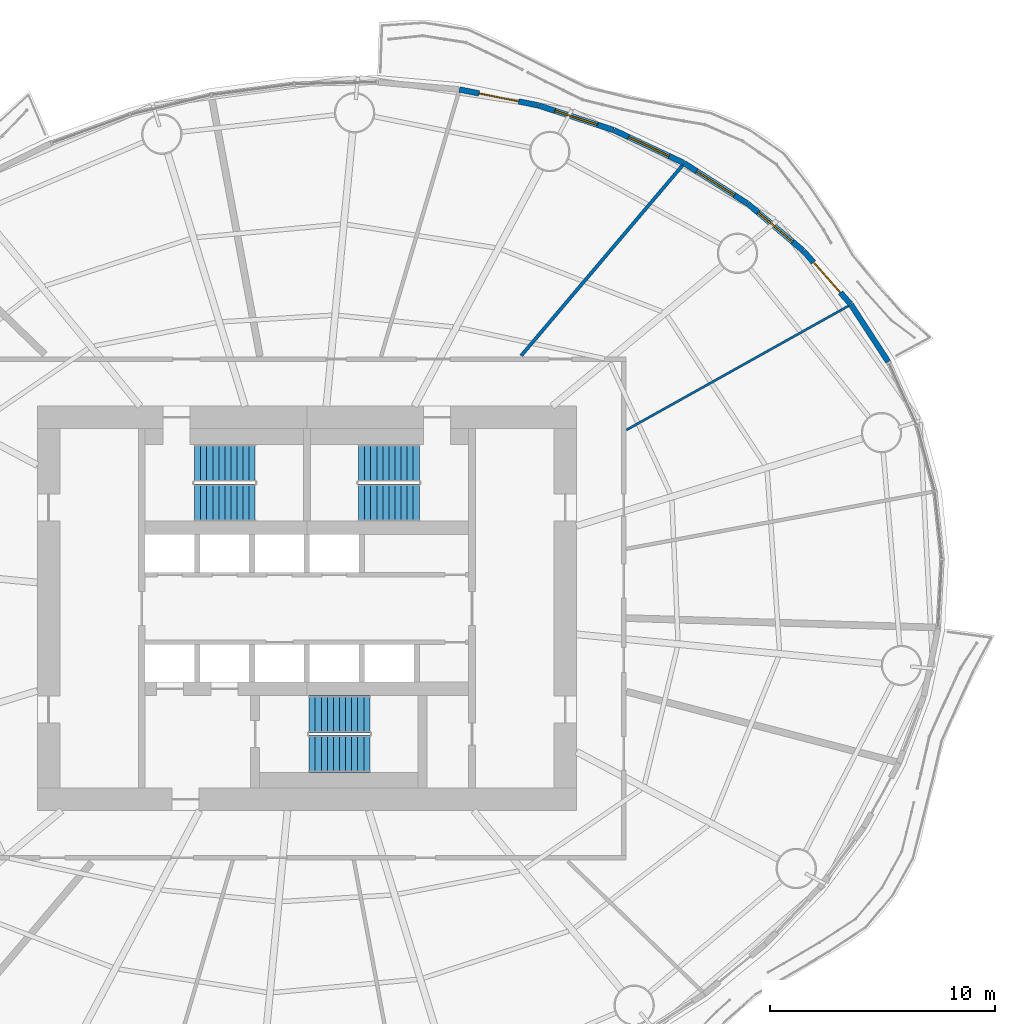
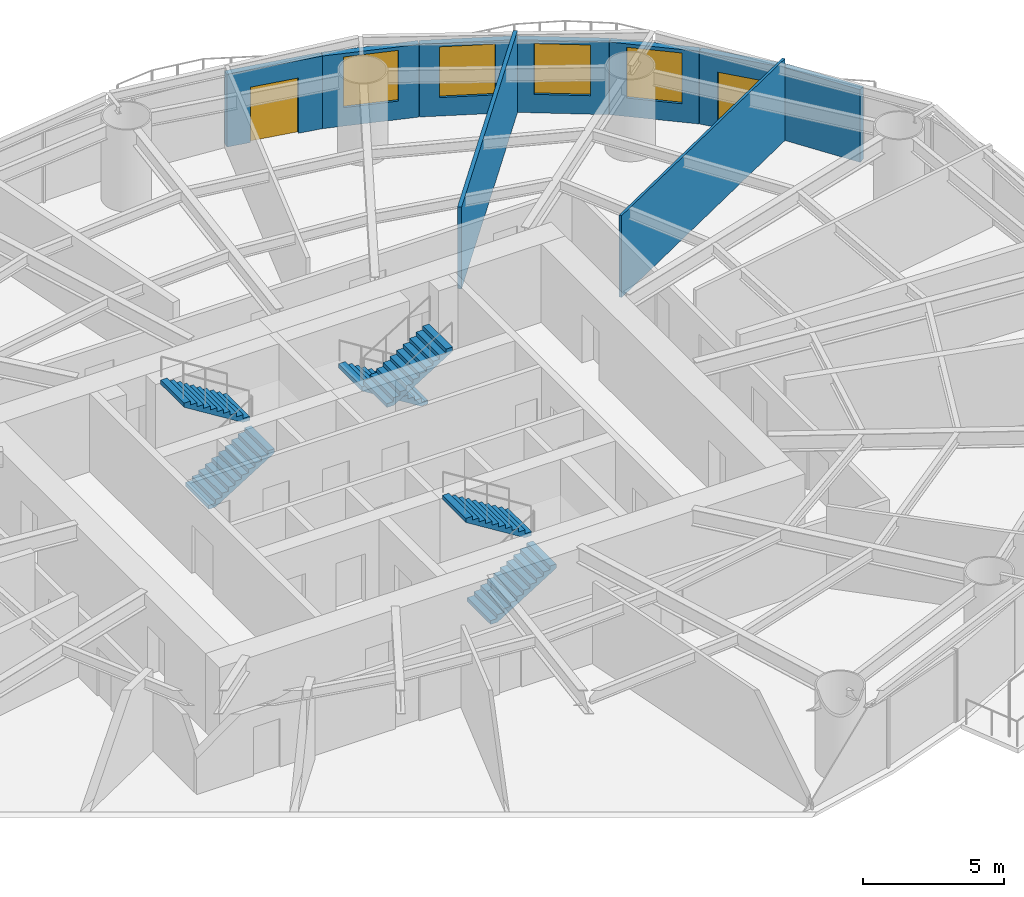
# One storey, part 11 of 17: 9 walls, 6 stair flights, 4 windows, 2 doors, 6 openings, 3 elements without a shape of their own.
"""IFC4 building model written with IfcOpenShell, lengths in metres."""

from ifc_helpers import new_model, si_unit, direction, frame, frame_2d, origin, place, context, subcontext, project, spatial, polyline, rectangle, outline, extrude, material, layer, layer_set, type_object, element, fill, aggregate, save


model = new_model("IFC4")

# Units and contexts
model_context = context("Model", 3, precision=1e-05, world=origin(), true_north=direction((0.0, 1.0)))
body_context = subcontext(model_context, "Body", "Model", "MODEL_VIEW")
ifc_project = project(units=[si_unit("LENGTHUNIT", "METRE"), si_unit("AREAUNIT", "SQUARE_METRE"), si_unit("VOLUMEUNIT", "CUBIC_METRE"), si_unit("PLANEANGLEUNIT", "RADIAN"), si_unit("MASSUNIT", "GRAM", prefix="KILO")], contexts=[model_context])

# Site, building, storey
site_placement = place(None, origin())
site = spatial("IfcSite", under=ifc_project, at=site_placement, CompositionType="ELEMENT")
building_placement = place(site_placement, origin())
building = spatial("IfcBuilding", under=site, at=building_placement, Name="Vermilion Reach Broadcast Tower", CompositionType="ELEMENT")
storey_placement = place(building_placement, frame((0.0, 0.0, 76.699951171875)))
storey = spatial("IfcBuildingStorey", under=building, at=storey_placement, Name="L16", CompositionType="ELEMENT", Elevation=76.699951171875)

# Walls
ifc_material_1 = material(Name="Plasterboard on steel stud", Category="steel")
ifc_layer_1 = layer(ifc_material_1, 0.10009765625)
ifc_layer_set_1 = layer_set([ifc_layer_1], Name="Partition 100 steel stud")
wall_type_1 = type_object("IfcWallType", Name="Partition 100 steel stud", PredefinedType="PARTITIONING", material=ifc_layer_set_1)
wall_1_placement = place(storey_placement, frame((18.1044921875, 13.463134765625, 0.0), z_axis=(0.0, 0.0, 1.0), x_axis=(-0.873053971866, -0.4876235866, 0.0)))
element("IfcWall", 1, at=wall_1_placement, inside=storey, type_object=wall_type_1, Name="Partition 16.02", PredefinedType="PARTITIONING", context=body_context, shape_type="SweptSolid", body=[
    extrude(rectangle(XDim=11.316650390625, YDim=0.10009765625, at=frame_2d((5.658203125, 0.0))), origin(), (0.0, 0.0, 1.0), 3.550048828125),
])
ifc_material_2 = material(Name="Lightweight concrete block, plastered", Category="concrete")
ifc_layer_2 = layer(ifc_material_2, 0.14990234375)
ifc_layer_set_2 = layer_set([ifc_layer_2], Name="Partition 150 lightweight block")
wall_type_2 = type_object("IfcWallType", Name="Partition 150 lightweight block", PredefinedType="PARTITIONING", material=ifc_layer_set_2)
wall_2_placement = place(storey_placement, frame((10.715576171875, 19.715576171875, 0.0), z_axis=(0.0, 0.0, 1.0), x_axis=(-0.646692205785, -0.762751067503, 0.0)))
element("IfcWall", 2, at=wall_2_placement, inside=storey, type_object=wall_type_2, Name="Partition 16.03", PredefinedType="PARTITIONING", context=body_context, shape_type="SweptSolid", body=[
    extrude(rectangle(XDim=11.1005859375, YDim=0.14990234375, at=frame_2d((5.55029296875, 0.0))), origin(), (0.0, 0.0, 1.0), 3.550048828125),
])
ifc_material_3 = material(Name="Terracotta rainscreen cladding", Category="masonry")
ifc_layer_3 = layer(ifc_material_3, 0.25)
ifc_layer_set_3 = layer_set([ifc_layer_3], Name="Terracotta rainscreen wall 250")
wall_type_3 = type_object("IfcWallType", Name="Terracotta rainscreen wall 250", PredefinedType="SOLIDWALL", material=ifc_layer_set_3)
wall_3_placement = place(storey_placement, frame((19.87109375, 10.97802734375, 0.0), z_axis=(0.0, 0.0, 1.0), x_axis=(-0.545574882471, 0.838062078618, 0.0)))
element("IfcWall", 3, at=wall_3_placement, inside=storey, type_object=wall_type_3, Name="External wall L16 02", PredefinedType="SOLIDWALL", context=body_context, shape_type="SweptSolid", body=[
    extrude(rectangle(XDim=3.04248046875, YDim=0.25, at=frame_2d((1.521240234375, 0.0))), origin(), (0.0, 0.0, 1.0), 3.150146484375),
])

# Wall, opening, door
wall_4_placement = place(storey_placement, frame((18.195068359375, 13.549072265625, 0.0), z_axis=(0.0, 0.0, 1.0), x_axis=(-0.663940867432, 0.747785079119, 0.0)))
wall_4 = element("IfcWall", 4, at=wall_4_placement, inside=storey, type_object=wall_type_3, Name="External wall L16 03", PredefinedType="SOLIDWALL", context=body_context, shape_type="SweptSolid", body=[
    extrude(rectangle(XDim=3.153564453125, YDim=0.25, at=frame_2d((1.57666015625, 0.0))), origin(), (0.0, 0.0, 1.0), 3.150146484375),
])
opening_1_placement = place(wall_4_placement, frame((0.677001953125, 0.0, 0.0)))
opening_1 = element("IfcOpeningElement", 5, at=opening_1_placement, cuts=wall_4, Name="Opening D70", PredefinedType="OPENING", context=body_context, shape_type="SweptSolid", body=[
    extrude(rectangle(XDim=1.800048828125, YDim=2.39990234375, at=frame_2d((0.89990234375, 1.199951171875))), frame((0.0, 0.135009765625, 0.0), z_axis=(0.0, -1.0, 0.0), x_axis=(1.0, 0.0, 0.0)), (0.0, 0.0, 1.0), 0.27001953125),
])
ifc_material_4 = material(Name="Low-e laminated clear glass in aluminium frame", Category="aluminium")
door_type = type_object("IfcDoorType", Name="Balcony sliding door 1800 x 2400", OperationType="DOUBLE_DOOR_SLIDING", PredefinedType="DOOR", material=ifc_material_4)
door_1_placement = place(opening_1_placement, origin())
door_1 = element("IfcDoor", 6, at=door_1_placement, inside=storey, type_object=door_type, Name="Balcony door L16 run 01", OperationType="DOUBLE_DOOR_SLIDING", OverallHeight=2.39990234375, OverallWidth=1.800048828125, PredefinedType="DOOR", context=body_context, shape_type="SweptSolid", body=[
    extrude(rectangle(XDim=1.800048828125, YDim=2.39990234375, at=frame_2d((0.89990234375, 1.199951171875))), frame((0.0, 0.02490234375, 0.0), z_axis=(0.0, -1.0, 0.0), x_axis=(1.0, 0.0, 0.0)), (0.0, 0.0, 1.0), 0.050048828125),
])
fill(opening_1, door_1)

# Wall, opening, window
wall_5_placement = place(storey_placement, frame((16.0830078125, 15.92529296875, 0.0), z_axis=(0.0, 0.0, 1.0), x_axis=(-0.763314755693, 0.646026767047, 0.0)))
wall_5 = element("IfcWall", 7, at=wall_5_placement, inside=storey, type_object=wall_type_3, Name="External wall L16 04", PredefinedType="SOLIDWALL", context=body_context, shape_type="SweptSolid", body=[
    extrude(rectangle(XDim=3.23681640625, YDim=0.25, at=frame_2d((1.618408203125, 0.0))), origin(), (0.0, 0.0, 1.0), 3.150146484375),
])
opening_2_placement = place(wall_5_placement, frame((0.618408203125, 0.0, 0.800048828125)))
opening_2 = element("IfcOpeningElement", 8, at=opening_2_placement, cuts=wall_5, Name="Opening W01", PredefinedType="OPENING", context=body_context, shape_type="SweptSolid", body=[
    extrude(rectangle(XDim=2.0, YDim=2.199951171875, at=frame_2d((1.0, 1.10009765625))), frame((0.0, 0.135009765625, 0.0), z_axis=(0.0, -1.0, 0.0), x_axis=(1.0, 0.0, 0.0)), (0.0, 0.0, 1.0), 0.27001953125),
])
ifc_material_5 = material(Name="Low-e laminated clear glass in aluminium frame", Category="aluminium")
window_type = type_object("IfcWindowType", Name="Punched window 2000 x 2200 sill 800", PartitioningType="SINGLE_PANEL", PredefinedType="WINDOW", material=ifc_material_5)
window_1_placement = place(opening_2_placement, origin())
window_1 = element("IfcWindow", 9, at=window_1_placement, inside=storey, type_object=window_type, Name="Window L16 04", OverallHeight=2.199951171875, OverallWidth=2.0, PartitioningType="SINGLE_PANEL", PredefinedType="WINDOW", context=body_context, shape_type="SweptSolid", body=[
    extrude(rectangle(XDim=2.0, YDim=2.199951171875, at=frame_2d((1.0, 1.10009765625))), frame((0.0, 0.030029296875, 0.0), z_axis=(0.0, -1.0, 0.0), x_axis=(1.0, 0.0, 0.0)), (0.0, 0.0, 1.0), 0.06005859375),
])
fill(opening_2, window_1)

wall_6_placement = place(storey_placement, frame((13.59228515625, 18.03125, 0.0), z_axis=(0.0, 0.0, 1.0), x_axis=(-0.843428771265, 0.537241014632, 0.0)))
wall_6 = element("IfcWall", 10, at=wall_6_placement, inside=storey, type_object=wall_type_3, Name="External wall L16 05", PredefinedType="SOLIDWALL", context=body_context, shape_type="SweptSolid", body=[
    extrude(rectangle(XDim=3.327392578125, YDim=0.25, at=frame_2d((1.66357421875, 0.0))), origin(), (0.0, 0.0, 1.0), 3.150146484375),
])
opening_3_placement = place(wall_6_placement, frame((0.66357421875, 0.0, 0.800048828125)))
opening_3 = element("IfcOpeningElement", 11, at=opening_3_placement, cuts=wall_6, Name="Opening W01", PredefinedType="OPENING", context=body_context, shape_type="SweptSolid", body=[
    extrude(rectangle(XDim=2.0, YDim=2.199951171875, at=frame_2d((1.0, 1.10009765625))), frame((0.0, 0.135009765625, 0.0), z_axis=(0.0, -1.0, 0.0), x_axis=(1.0, 0.0, 0.0)), (0.0, 0.0, 1.0), 0.27001953125),
])
window_2_placement = place(opening_3_placement, origin())
window_2 = element("IfcWindow", 12, at=window_2_placement, inside=storey, type_object=window_type, Name="Window L16 05", OverallHeight=2.199951171875, OverallWidth=2.0, PartitioningType="SINGLE_PANEL", PredefinedType="WINDOW", context=body_context, shape_type="SweptSolid", body=[
    extrude(rectangle(XDim=2.0, YDim=2.199951171875, at=frame_2d((1.0, 1.10009765625))), frame((0.0, 0.030029296875, 0.0), z_axis=(0.0, -1.0, 0.0), x_axis=(1.0, 0.0, 0.0)), (0.0, 0.0, 1.0), 0.06005859375),
])
fill(opening_3, window_2)

wall_7_placement = place(storey_placement, frame((10.764892578125, 19.830322265625, 0.0), z_axis=(0.0, 0.0, 1.0), x_axis=(-0.905237504744, 0.424905942538, 0.0)))
wall_7 = element("IfcWall", 13, at=wall_7_placement, inside=storey, type_object=wall_type_3, Name="External wall L16 06", PredefinedType="SOLIDWALL", context=body_context, shape_type="SweptSolid", body=[
    extrude(rectangle(XDim=3.418212890625, YDim=0.25, at=frame_2d((1.708984375, 0.0))), origin(), (0.0, 0.0, 1.0), 3.150146484375),
])
opening_4_placement = place(wall_7_placement, frame((0.708984375, 0.0, 0.800048828125)))
opening_4 = element("IfcOpeningElement", 14, at=opening_4_placement, cuts=wall_7, Name="Opening W01", PredefinedType="OPENING", context=body_context, shape_type="SweptSolid", body=[
    extrude(rectangle(XDim=2.0, YDim=2.199951171875, at=frame_2d((1.0, 1.10009765625))), frame((0.0, 0.135009765625, 0.0), z_axis=(0.0, -1.0, 0.0), x_axis=(1.0, 0.0, 0.0)), (0.0, 0.0, 1.0), 0.27001953125),
])
window_3_placement = place(opening_4_placement, origin())
window_3 = element("IfcWindow", 15, at=window_3_placement, inside=storey, type_object=window_type, Name="Window L16 06", OverallHeight=2.199951171875, OverallWidth=2.0, PartitioningType="SINGLE_PANEL", PredefinedType="WINDOW", context=body_context, shape_type="SweptSolid", body=[
    extrude(rectangle(XDim=2.0, YDim=2.199951171875, at=frame_2d((1.0, 1.10009765625))), frame((0.0, 0.030029296875, 0.0), z_axis=(0.0, -1.0, 0.0), x_axis=(1.0, 0.0, 0.0)), (0.0, 0.0, 1.0), 0.06005859375),
])
fill(opening_4, window_3)

wall_8_placement = place(storey_placement, frame((7.64892578125, 21.291259765625, 0.0), z_axis=(0.0, 0.0, 1.0), x_axis=(-0.950294453708, 0.311352615617, 0.0)))
wall_8 = element("IfcWall", 16, at=wall_8_placement, inside=storey, type_object=wall_type_3, Name="External wall L16 07", PredefinedType="SOLIDWALL", context=body_context, shape_type="SweptSolid", body=[
    extrude(rectangle(XDim=3.50341796875, YDim=0.25, at=frame_2d((1.751708984375, 0.0))), origin(), (0.0, 0.0, 1.0), 3.150146484375),
])
opening_5_placement = place(wall_8_placement, frame((0.751953125, 0.0, 0.800048828125)))
opening_5 = element("IfcOpeningElement", 17, at=opening_5_placement, cuts=wall_8, Name="Opening W01", PredefinedType="OPENING", context=body_context, shape_type="SweptSolid", body=[
    extrude(rectangle(XDim=2.0, YDim=2.199951171875, at=frame_2d((1.0, 1.10009765625))), frame((0.0, 0.135009765625, 0.0), z_axis=(0.0, -1.0, 0.0), x_axis=(1.0, 0.0, 0.0)), (0.0, 0.0, 1.0), 0.27001953125),
])
window_4_placement = place(opening_5_placement, origin())
window_4 = element("IfcWindow", 18, at=window_4_placement, inside=storey, type_object=window_type, Name="Window L16 07", OverallHeight=2.199951171875, OverallWidth=2.0, PartitioningType="SINGLE_PANEL", PredefinedType="WINDOW", context=body_context, shape_type="SweptSolid", body=[
    extrude(rectangle(XDim=2.0, YDim=2.199951171875, at=frame_2d((1.0, 1.10009765625))), frame((0.0, 0.030029296875, 0.0), z_axis=(0.0, -1.0, 0.0), x_axis=(1.0, 0.0, 0.0)), (0.0, 0.0, 1.0), 0.06005859375),
])
fill(opening_5, window_4)

# Wall, opening, door
wall_9_placement = place(storey_placement, frame((4.297607421875, 22.387939453125, 0.0), z_axis=(0.0, 0.0, 1.0), x_axis=(-0.980121435031, 0.198398519635, 0.0)))
wall_9 = element("IfcWall", 19, at=wall_9_placement, inside=storey, type_object=wall_type_3, Name="External wall L16 08", PredefinedType="SOLIDWALL", context=body_context, shape_type="SweptSolid", body=[
    extrude(rectangle(XDim=3.578369140625, YDim=0.25, at=frame_2d((1.7890625, 0.0))), origin(), (0.0, 0.0, 1.0), 3.150146484375),
])
opening_6_placement = place(wall_9_placement, frame((0.888916015625, 0.0, 0.0)))
opening_6 = element("IfcOpeningElement", 20, at=opening_6_placement, cuts=wall_9, Name="Opening D70", PredefinedType="OPENING", context=body_context, shape_type="SweptSolid", body=[
    extrude(rectangle(XDim=1.800048828125, YDim=2.39990234375, at=frame_2d((0.89990234375, 1.199951171875))), frame((0.0, 0.135009765625, 0.0), z_axis=(0.0, -1.0, 0.0), x_axis=(1.0, 0.0, 0.0)), (0.0, 0.0, 1.0), 0.27001953125),
])
door_2_placement = place(opening_6_placement, origin())
door_2 = element("IfcDoor", 21, at=door_2_placement, inside=storey, type_object=door_type, Name="Balcony door L16 run 02", OperationType="DOUBLE_DOOR_SLIDING", OverallHeight=2.39990234375, OverallWidth=1.800048828125, PredefinedType="DOOR", context=body_context, shape_type="SweptSolid", body=[
    extrude(rectangle(XDim=1.800048828125, YDim=2.39990234375, at=frame_2d((0.89990234375, 1.199951171875))), frame((0.0, 0.02490234375, 0.0), z_axis=(0.0, -1.0, 0.0), x_axis=(1.0, 0.0, 0.0)), (0.0, 0.0, 1.0), 0.050048828125),
])
fill(opening_6, door_2)

# Stair, stair flights
ifc_material_6 = material(Name="Concrete C40", Category="concrete")
stair_type = type_object("IfcStairType", Name="Exit stair RC 22 risers 168 mm", PredefinedType="HALF_TURN_STAIR", material=ifc_material_6)
placement = place(storey_placement, origin())
stair_1 = element("IfcStair", 22, at=placement, inside=storey, type_object=stair_type, Name="L16 Exit stair ST1", PredefinedType="HALF_TURN_STAIR")
ifc_material_7 = material(Name="Concrete C40", Category="concrete")
stair_flight_type = type_object("IfcStairFlightType", Name="Exit stair flight RC 11 risers", PredefinedType="STRAIGHT", material=ifc_material_7)
stair_flight_1_placement = place(storey_placement, frame((-11.0, 4.7099609375, 0.0), z_axis=(0.0, 0.0, 1.0), x_axis=(1.0, 0.0, 0.0)))
stair_flight_1 = element("IfcStairFlight", 23, at=stair_flight_1_placement, type_object=stair_flight_type, Name="ST1 flight 1", NumberOfRisers=11, NumberOfTreads=10, PredefinedType="STRAIGHT", RiserHeight=0.168181818, TreadLength=0.27, context=body_context, shape_type="SweptSolid", body=[
    extrude(outline(polyline([(0.0, 0.0), (0.0, 0.168212890625), (0.27001953125, 0.168212890625), (0.27001953125, 0.33642578125), (0.5400390625, 0.33642578125), (0.5400390625, 0.504638671875), (0.81005859375, 0.504638671875), (0.81005859375, 0.672607421875), (1.080078125, 0.672607421875), (1.080078125, 0.8408203125), (1.35009765625, 0.8408203125), (1.35009765625, 1.009033203125), (1.6201171875, 1.009033203125), (1.6201171875, 1.17724609375), (1.889892578125, 1.17724609375), (1.889892578125, 1.345458984375), (2.159912109375, 1.345458984375), (2.159912109375, 1.513671875), (2.429931640625, 1.513671875), (2.429931640625, 1.681884765625), (2.699951171875, 1.681884765625), (2.699951171875, 1.85009765625), (2.699951171875, 1.505126953125), (0.283447265625, 0.0), (0.0, 0.0)])), frame((0.0, 0.830078125, 0.0), z_axis=(0.0, -1.0, 0.0), x_axis=(1.0, 0.0, 0.0)), (0.0, 0.0, 1.0), 1.659912109375),
])
stair_flight_2_placement = place(storey_placement, frame((-8.300048828125, 6.469970703125, 1.85009765625), z_axis=(0.0, 0.0, 1.0), x_axis=(-1.0, 0.0, 0.0)))
stair_flight_2 = element("IfcStairFlight", 24, at=stair_flight_2_placement, type_object=stair_flight_type, Name="ST1 flight 2", NumberOfRisers=11, NumberOfTreads=10, PredefinedType="STRAIGHT", RiserHeight=0.168181818, TreadLength=0.27, context=body_context, shape_type="SweptSolid", body=[
    extrude(outline(polyline([(0.0, 0.0), (0.0, 0.168212890625), (0.27001953125, 0.168212890625), (0.27001953125, 0.33642578125), (0.5400390625, 0.33642578125), (0.5400390625, 0.504638671875), (0.81005859375, 0.504638671875), (0.81005859375, 0.672607421875), (1.080078125, 0.672607421875), (1.080078125, 0.8408203125), (1.35009765625, 0.8408203125), (1.35009765625, 1.009033203125), (1.6201171875, 1.009033203125), (1.6201171875, 1.17724609375), (1.889892578125, 1.17724609375), (1.889892578125, 1.345458984375), (2.159912109375, 1.345458984375), (2.159912109375, 1.513671875), (2.429931640625, 1.513671875), (2.429931640625, 1.681884765625), (2.699951171875, 1.681884765625), (2.699951171875, 1.85009765625), (2.699951171875, 1.505126953125), (0.283447265625, 0.0), (0.0, 0.0)])), frame((0.0, 0.830078125, 0.0), z_axis=(0.0, -1.0, 0.0), x_axis=(1.0, 0.0, 0.0)), (0.0, 0.0, 1.0), 1.659912109375),
])
aggregate(stair_1, [stair_flight_1, stair_flight_2])

stair_2 = element("IfcStair", 25, at=placement, inside=storey, type_object=stair_type, Name="L16 Exit stair ST2", PredefinedType="HALF_TURN_STAIR")
stair_flight_3_placement = place(storey_placement, frame((-1.0, 6.469970703125, 0.0), z_axis=(0.0, 0.0, 1.0), x_axis=(-1.0, 0.0, 0.0)))
stair_flight_3 = element("IfcStairFlight", 26, at=stair_flight_3_placement, type_object=stair_flight_type, Name="ST2 flight 1", NumberOfRisers=11, NumberOfTreads=10, PredefinedType="STRAIGHT", RiserHeight=0.168181818, TreadLength=0.27, context=body_context, shape_type="SweptSolid", body=[
    extrude(outline(polyline([(0.0, 0.0), (0.0, 0.168212890625), (0.27001953125, 0.168212890625), (0.27001953125, 0.33642578125), (0.5400390625, 0.33642578125), (0.5400390625, 0.504638671875), (0.81005859375, 0.504638671875), (0.81005859375, 0.672607421875), (1.080078125, 0.672607421875), (1.080078125, 0.8408203125), (1.35009765625, 0.8408203125), (1.35009765625, 1.009033203125), (1.6201171875, 1.009033203125), (1.6201171875, 1.17724609375), (1.889892578125, 1.17724609375), (1.889892578125, 1.345458984375), (2.159912109375, 1.345458984375), (2.159912109375, 1.513671875), (2.429931640625, 1.513671875), (2.429931640625, 1.681884765625), (2.699951171875, 1.681884765625), (2.699951171875, 1.85009765625), (2.699951171875, 1.505126953125), (0.283447265625, 0.0), (0.0, 0.0)])), frame((0.0, 0.830078125, 0.0), z_axis=(0.0, -1.0, 0.0), x_axis=(1.0, 0.0, 0.0)), (0.0, 0.0, 1.0), 1.659912109375),
])
stair_flight_4_placement = place(storey_placement, frame((-3.699951171875, 4.7099609375, 1.85009765625), z_axis=(0.0, 0.0, 1.0), x_axis=(1.0, 0.0, 0.0)))
stair_flight_4 = element("IfcStairFlight", 27, at=stair_flight_4_placement, type_object=stair_flight_type, Name="ST2 flight 2", NumberOfRisers=11, NumberOfTreads=10, PredefinedType="STRAIGHT", RiserHeight=0.168181818, TreadLength=0.27, context=body_context, shape_type="SweptSolid", body=[
    extrude(outline(polyline([(0.0, 0.0), (0.0, 0.168212890625), (0.27001953125, 0.168212890625), (0.27001953125, 0.33642578125), (0.5400390625, 0.33642578125), (0.5400390625, 0.504638671875), (0.81005859375, 0.504638671875), (0.81005859375, 0.672607421875), (1.080078125, 0.672607421875), (1.080078125, 0.8408203125), (1.35009765625, 0.8408203125), (1.35009765625, 1.009033203125), (1.6201171875, 1.009033203125), (1.6201171875, 1.17724609375), (1.889892578125, 1.17724609375), (1.889892578125, 1.345458984375), (2.159912109375, 1.345458984375), (2.159912109375, 1.513671875), (2.429931640625, 1.513671875), (2.429931640625, 1.681884765625), (2.699951171875, 1.681884765625), (2.699951171875, 1.85009765625), (2.699951171875, 1.505126953125), (0.283447265625, 0.0), (0.0, 0.0)])), frame((0.0, 0.830078125, 0.0), z_axis=(0.0, -1.0, 0.0), x_axis=(1.0, 0.0, 0.0)), (0.0, 0.0, 1.0), 1.659912109375),
])
aggregate(stair_2, [stair_flight_3, stair_flight_4])

stair_3 = element("IfcStair", 28, at=placement, inside=storey, type_object=stair_type, Name="L16 Exit stair ST3", PredefinedType="HALF_TURN_STAIR")
stair_flight_5_placement = place(storey_placement, frame((-5.89990234375, -6.469970703125, 0.0), z_axis=(0.0, 0.0, 1.0), x_axis=(1.0, 0.0, 0.0)))
stair_flight_5 = element("IfcStairFlight", 29, at=stair_flight_5_placement, type_object=stair_flight_type, Name="ST3 flight 1", NumberOfRisers=11, NumberOfTreads=10, PredefinedType="STRAIGHT", RiserHeight=0.168181818, TreadLength=0.27, context=body_context, shape_type="SweptSolid", body=[
    extrude(outline(polyline([(0.0, 0.0), (0.0, 0.168212890625), (0.27001953125, 0.168212890625), (0.27001953125, 0.33642578125), (0.5400390625, 0.33642578125), (0.5400390625, 0.504638671875), (0.81005859375, 0.504638671875), (0.81005859375, 0.672607421875), (1.080078125, 0.672607421875), (1.080078125, 0.8408203125), (1.35009765625, 0.8408203125), (1.35009765625, 1.009033203125), (1.6201171875, 1.009033203125), (1.6201171875, 1.17724609375), (1.889892578125, 1.17724609375), (1.889892578125, 1.345458984375), (2.159912109375, 1.345458984375), (2.159912109375, 1.513671875), (2.429931640625, 1.513671875), (2.429931640625, 1.681884765625), (2.699951171875, 1.681884765625), (2.699951171875, 1.85009765625), (2.699951171875, 1.505126953125), (0.283447265625, 0.0), (0.0, 0.0)])), frame((0.0, 0.830078125, 0.0), z_axis=(0.0, -1.0, 0.0), x_axis=(1.0, 0.0, 0.0)), (0.0, 0.0, 1.0), 1.659912109375),
])
stair_flight_6_placement = place(storey_placement, frame((-3.199951171875, -4.7099609375, 1.85009765625), z_axis=(0.0, 0.0, 1.0), x_axis=(-1.0, 0.0, 0.0)))
stair_flight_6 = element("IfcStairFlight", 30, at=stair_flight_6_placement, type_object=stair_flight_type, Name="ST3 flight 2", NumberOfRisers=11, NumberOfTreads=10, PredefinedType="STRAIGHT", RiserHeight=0.168181818, TreadLength=0.27, context=body_context, shape_type="SweptSolid", body=[
    extrude(outline(polyline([(0.0, 0.0), (0.0, 0.168212890625), (0.27001953125, 0.168212890625), (0.27001953125, 0.33642578125), (0.5400390625, 0.33642578125), (0.5400390625, 0.504638671875), (0.81005859375, 0.504638671875), (0.81005859375, 0.672607421875), (1.080078125, 0.672607421875), (1.080078125, 0.8408203125), (1.35009765625, 0.8408203125), (1.35009765625, 1.009033203125), (1.6201171875, 1.009033203125), (1.6201171875, 1.17724609375), (1.889892578125, 1.17724609375), (1.889892578125, 1.345458984375), (2.159912109375, 1.345458984375), (2.159912109375, 1.513671875), (2.429931640625, 1.513671875), (2.429931640625, 1.681884765625), (2.699951171875, 1.681884765625), (2.699951171875, 1.85009765625), (2.699951171875, 1.505126953125), (0.283447265625, 0.0), (0.0, 0.0)])), frame((0.0, 0.830078125, 0.0), z_axis=(0.0, -1.0, 0.0), x_axis=(1.0, 0.0, 0.0)), (0.0, 0.0, 1.0), 1.659912109375),
])
aggregate(stair_3, [stair_flight_5, stair_flight_6])

save(model, "model.ifc")
